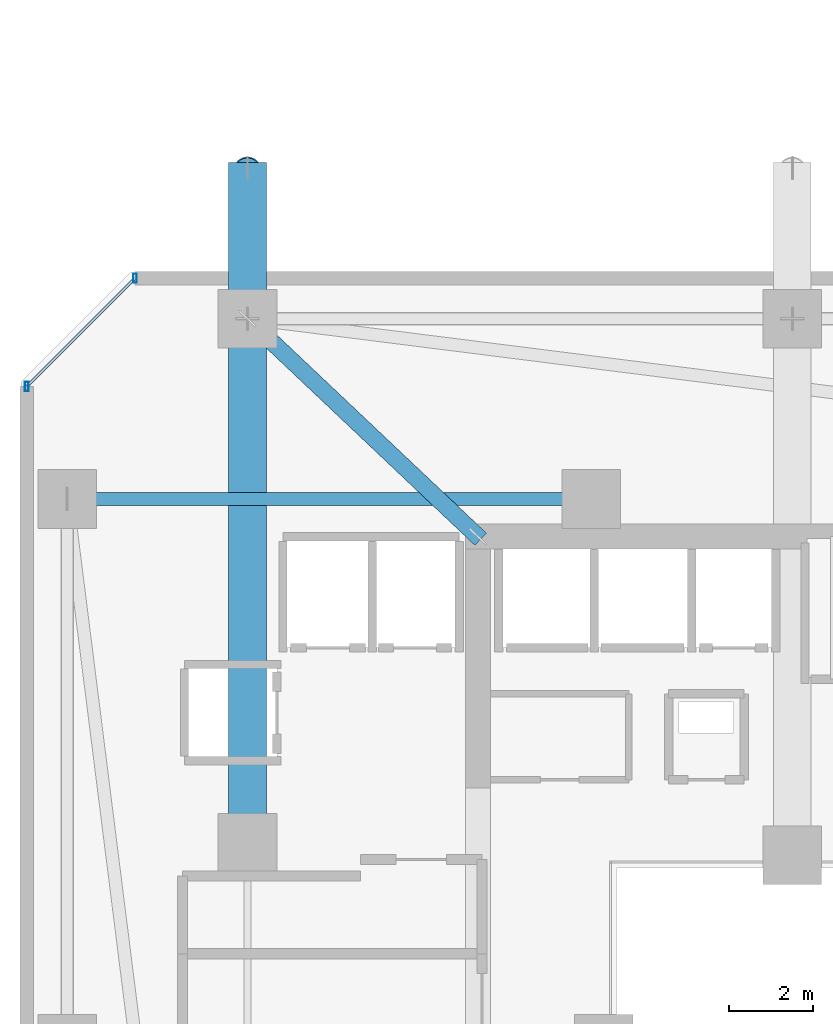
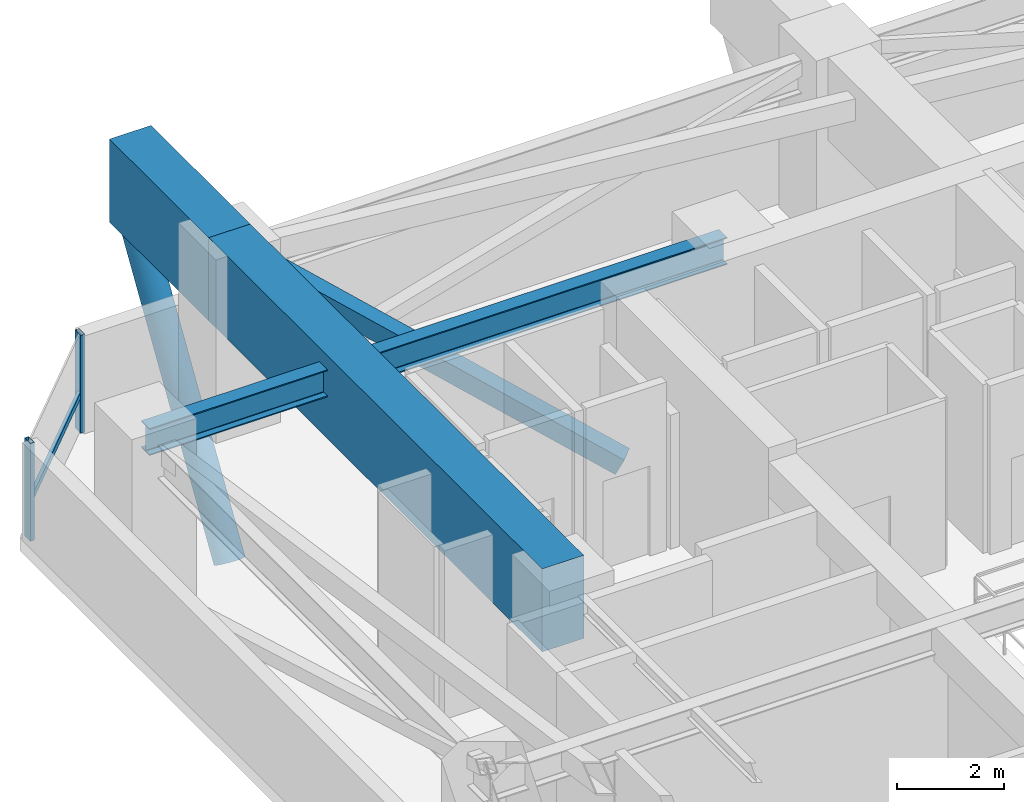
# One storey, part 13 of 38: 5 members, 3 beams, 1 element without a shape of its own.
"""IFC4 building model written with IfcOpenShell, lengths in metres."""

import ifcopenshell
import ifcopenshell.guid

model = None  # the IFC model being written
_history = None  # IfcOwnerHistory: only IFC2X3 demands one
_inside = {}  # id of a spatial element -> (the spatial element, [elements in it])
_under = {}  # id of a project, library or spatial element -> (it, [spatial elements below it])
_declared = {}  # id of a project -> (the project, [libraries it declares])
_typed = {}  # id of a type object -> (the type object, [elements of that type])
_made_of = {}  # id of a material, layer set ... -> (it, [elements and type objects made of it])


def new_model(schema):
    """Start an empty IFC model of exactly this schema.

    Asked for "IFC4X3", IfcOpenShell would pick the latest addendum, in which some entities
    have other attributes; the version numbers below select the first issue.
    IFC2X3 requires an IfcOwnerHistory on every rooted entity: one is made here for all.
    """
    global model, _history
    if schema == "IFC4X3":
        model = ifcopenshell.file(schema_version=(4, 3, 0, 0))
    else:
        model = ifcopenshell.file(schema=schema)
    _inside.clear()
    _under.clear()
    _declared.clear()
    _typed.clear()
    _made_of.clear()
    _history = None
    if model.schema == "IFC2X3":
        org = make("IfcOrganization", Name="unknown")
        user = make(
            "IfcPersonAndOrganization",
            ThePerson=make("IfcPerson", FamilyName="unknown"),
            TheOrganization=org,
        )
        app = make(
            "IfcApplication",
            ApplicationDeveloper=org,
            Version="unknown",
            ApplicationFullName="unknown",
            ApplicationIdentifier="unknown",
        )
        _history = make(
            "IfcOwnerHistory",
            OwningUser=user,
            OwningApplication=app,
            ChangeAction="ADDED",
            CreationDate=0,
        )
    return model


def make(cls, **values):
    """One entity of the class cls with the attributes given. An attribute that is None is left unset."""
    return model.create_entity(
        cls, **{name: value for name, value in values.items() if value is not None}
    )


def rooted(cls, **values):
    """An entity with a GlobalId (a new one), such as an element, a storey or a relation."""
    return make(cls, GlobalId=ifcopenshell.guid.new(), OwnerHistory=_history, **values)


def si_unit(unit_type, name, prefix=None):
    """IfcSIUnit, for example si_unit("LENGTHUNIT", "METRE", prefix="MILLI")."""
    return make("IfcSIUnit", UnitType=unit_type, Prefix=prefix, Name=name)


def assignment(units):
    """IfcUnitAssignment: the units of a project."""
    return None if units is None else make("IfcUnitAssignment", Units=units)


def point(xyz):
    """IfcCartesianPoint."""
    return None if xyz is None else make("IfcCartesianPoint", Coordinates=xyz)


def direction(xyz):
    """IfcDirection."""
    return None if xyz is None else make("IfcDirection", DirectionRatios=xyz)


def frame(location, z_axis=None, x_axis=None):
    """IfcAxis2Placement3D, a coordinate frame: its origin and axes. An axis left out is left unset."""
    return make(
        "IfcAxis2Placement3D",
        Location=point(location),
        Axis=direction(z_axis),
        RefDirection=direction(x_axis),
    )


def frame_2d(location, x_axis=None):
    """IfcAxis2Placement2D, a coordinate frame in the plane: its origin and x axis."""
    return make(
        "IfcAxis2Placement2D", Location=point(location), RefDirection=direction(x_axis)
    )


def origin():
    """The frame at (0, 0, 0) with its axes left unset."""
    return frame((0.0, 0.0, 0.0))


def origin_2d():
    """The frame at (0, 0) in the plane with its x axis left unset."""
    return frame_2d((0.0, 0.0))


def place(relative_to, where):
    """IfcLocalPlacement: puts the frame where relative to a parent placement (None: the world)."""
    return make(
        "IfcLocalPlacement", PlacementRelTo=relative_to, RelativePlacement=where
    )


def context(
    kind, dimensions, precision=None, world=None, true_north=None, identifier=None
):
    """IfcGeometricRepresentationContext, for example the 3D "Model" context."""
    return make(
        "IfcGeometricRepresentationContext",
        ContextIdentifier=identifier,
        ContextType=kind,
        CoordinateSpaceDimension=dimensions,
        Precision=precision,
        WorldCoordinateSystem=world,
        TrueNorth=true_north,
    )


def subcontext(parent, identifier, kind, view, scale=None):
    """IfcGeometricRepresentationSubContext, for example "Body" below "Model"."""
    return make(
        "IfcGeometricRepresentationSubContext",
        ContextIdentifier=identifier,
        ContextType=kind,
        ParentContext=parent,
        TargetScale=scale,
        TargetView=view,
    )


def project(units=None, contexts=None):
    """IfcProject with its units and contexts."""
    return rooted(
        "IfcProject",
        Name="project",
        RepresentationContexts=contexts,
        UnitsInContext=assignment(units),
    )


def spatial(cls, under=None, at=None, **own):
    """A site, building, storey or space (cls), placed at a placement, below another one or the project."""
    s = rooted(cls, ObjectPlacement=at, **own)
    if under is not None:
        _under.setdefault(under.id(), (under, []))[1].append(s)
    return s


def profile(cls, at=None, kind="AREA", **sizes):
    """A parametric profile (cls). Its sizes go by their IFC names, for example OverallWidth=200.0."""
    return make(cls, ProfileType=kind, Position=at, **sizes)


def rectangle(**sizes):
    """IfcRectangleProfileDef."""
    return profile("IfcRectangleProfileDef", **sizes)


def hollow_rectangle(**sizes):
    """IfcRectangleHollowProfileDef."""
    return profile("IfcRectangleHollowProfileDef", **sizes)


def hollow_circle(**sizes):
    """IfcCircleHollowProfileDef."""
    return profile("IfcCircleHollowProfileDef", **sizes)


def i_section(**sizes):
    """IfcIShapeProfileDef."""
    return profile("IfcIShapeProfileDef", **sizes)


def extrude(swept, where, along, depth):
    """IfcExtrudedAreaSolid: the profile swept, set in the frame where, extruded along a direction by depth."""
    return make(
        "IfcExtrudedAreaSolid",
        SweptArea=swept,
        Position=where,
        ExtrudedDirection=direction(along),
        Depth=depth,
    )


def shape(context_of_items, identifier, shape_type, items):
    """IfcShapeRepresentation: the items that make up one representation, for example the "Body"."""
    return make(
        "IfcShapeRepresentation",
        ContextOfItems=context_of_items,
        RepresentationIdentifier=identifier,
        RepresentationType=shape_type,
        Items=items,
    )


def material(Name=None, Category=None):
    """IfcMaterial."""
    return make("IfcMaterial", Name=Name, Category=Category)


def material_profile(
    of_material, cross_section, Name=None, Category=None, Priority=None
):
    """IfcMaterialProfile: a cross section and its material."""
    return make(
        "IfcMaterialProfile",
        Name=Name,
        Material=of_material,
        Profile=cross_section,
        Priority=Priority,
        Category=Category,
    )


def profile_set(profiles, Name=None, composite=None):
    """IfcMaterialProfileSet."""
    return make(
        "IfcMaterialProfileSet",
        Name=Name,
        MaterialProfiles=profiles,
        CompositeProfile=composite,
    )


def made_of(thing, what):
    """Note that an element or type object is made of a material, layer set ...; save() writes the relation."""
    if what is not None:
        _made_of.setdefault(what.id(), (what, []))[1].append(thing)
    return thing


def type_object(cls, material=None, **own):
    """A type object (cls), such as IfcWallType, which elements share."""
    return made_of(rooted(cls, **own), material)


def element(
    cls,
    number,
    at=None,
    inside=None,
    cuts=None,
    type_object=None,
    material=None,
    context=None,
    identifier="Body",
    shape_type=None,
    held_by="IfcProductDefinitionShape",
    body=None,
    shapes=None,
    **own,
):
    """One element of the class cls, such as IfcWall. Its Tag is "e" and its number.

    at: its placement. inside: the storey or other place that contains it. cuts: it is an
    opening in that element (IfcRelVoidsElement). A single representation is given by context,
    identifier, shape_type and body (its items); several are given by shapes. held_by: the class
    of the entity that holds the representations. save() writes the other relations.
    """
    e = rooted(cls, Tag="e%d" % number, ObjectPlacement=at, **own)
    if body is not None:
        shapes = [shape(context, identifier, shape_type, body)]
    if shapes is not None:
        e.Representation = make(held_by, Representations=shapes)
    if inside is not None:
        _inside.setdefault(inside.id(), (inside, []))[1].append(e)
    if cuts is not None:
        rooted(
            "IfcRelVoidsElement", RelatingBuildingElement=cuts, RelatedOpeningElement=e
        )
    if type_object is not None:
        _typed.setdefault(type_object.id(), (type_object, []))[1].append(e)
    return made_of(e, material)


def aggregate(whole, parts):
    """IfcRelAggregates: a whole, such as a stair, and the parts it consists of."""
    return rooted("IfcRelAggregates", RelatingObject=whole, RelatedObjects=parts)


def save(model, path):
    """Write the relations noted so far, then the file.

    IfcRelAggregates (storeys below a building ...), IfcRelContainedInSpatialStructure (elements
    in a storey), IfcRelDefinesByType, IfcRelAssociatesMaterial and IfcRelDeclares: one each for
    every whole, place, type object, material and project.
    """
    for whole, parts in _under.values():
        aggregate(whole, parts)
    for where, things in _inside.values():
        rooted(
            "IfcRelContainedInSpatialStructure",
            RelatedElements=things,
            RelatingStructure=where,
        )
    for kind, things in _typed.values():
        rooted("IfcRelDefinesByType", RelatedObjects=things, RelatingType=kind)
    for what, things in _made_of.values():
        rooted("IfcRelAssociatesMaterial", RelatedObjects=things, RelatingMaterial=what)
    for by, libraries in _declared.values():
        rooted("IfcRelDeclares", RelatingContext=by, RelatedDefinitions=libraries)
    model.write(path)


model = new_model("IFC4")

# Units and contexts
model_context = context("Model", 3, precision=1e-05, world=origin(), true_north=direction((0.0, 1.0)))
body_context = subcontext(model_context, "Body", "Model", "MODEL_VIEW")
ifc_project = project(units=[si_unit("LENGTHUNIT", "METRE"), si_unit("AREAUNIT", "SQUARE_METRE"), si_unit("VOLUMEUNIT", "CUBIC_METRE"), si_unit("PLANEANGLEUNIT", "RADIAN"), si_unit("MASSUNIT", "GRAM", prefix="KILO")], contexts=[model_context])

# Site, building, storey
site_placement = place(None, origin())
site = spatial("IfcSite", under=ifc_project, at=site_placement, CompositionType="ELEMENT")
building_placement = place(site_placement, origin())
building = spatial("IfcBuilding", under=site, at=building_placement, Name="Thornwick Lancets Civic Towers", CompositionType="ELEMENT")
storey_placement = place(building_placement, frame((0.0, 0.0, 71.699951171875)))
storey = spatial("IfcBuildingStorey", under=building, at=storey_placement, Name="L18", CompositionType="ELEMENT", Elevation=71.699951171875)

# Beams
ifc_material_1 = material(Name="Steel S355JR", Category="steel")
ifc_material_profile_1 = material_profile(ifc_material_1, i_section(OverallWidth=0.30712890625, OverallDepth=0.6201171875, WebThickness=0.01416015625, FlangeThickness=0.023681640625, FilletRadius=0.0166015625, at=origin_2d()), Name="UKB 610x305x179")
ifc_profile_set_1 = profile_set([ifc_material_profile_1], Name="Steel S355JR")
beam_type_1 = type_object("IfcBeamType", Name="BM_GIRD_610_179", PredefinedType="BEAM", material=ifc_profile_set_1)
beam_1_placement = place(storey_placement, frame((20.699951171875, 40.0, 3.570068359375), z_axis=(-1.0, 0.0, 0.0), x_axis=(0.0, -1.0, 0.0)))
element("IfcBeam", 1, at=beam_1_placement, inside=storey, type_object=beam_type_1, Name="BM-RADIN-L18-A12", PredefinedType="BEAM", context=body_context, shape_type="SweptSolid", body=[
    extrude(i_section(OverallWidth=0.30712890625, OverallDepth=0.6201171875, WebThickness=0.01416015625, FlangeThickness=0.023681640625, FilletRadius=0.0166015625, at=origin_2d()), origin(), (0.0, 0.0, 1.0), 12.5),
])
ifc_material_2 = material(Name="Concrete C60/75", Category="concrete")
ifc_material_profile_2 = material_profile(ifc_material_2, rectangle(XDim=0.89990234375, YDim=1.89990234375, at=origin_2d()), Name="RC 900x1900")
ifc_profile_set_2 = profile_set([ifc_material_profile_2], Name="Concrete C60/75")
beam_type_2 = type_object("IfcBeamType", Name="BM_TR_RC1900", PredefinedType="BEAM", material=ifc_profile_set_2)
beam_2_placement = place(storey_placement, frame((12.5, 31.800048828125, 3.25), z_axis=(0.0, 1.0, 0.0), x_axis=(-1.0, 0.0, 0.0)))
element("IfcBeam", 2, at=beam_2_placement, inside=storey, type_object=beam_type_2, Name="TG-BACK-L19-A07", PredefinedType="BEAM", context=body_context, shape_type="SweptSolid", body=[
    extrude(rectangle(XDim=0.89990234375, YDim=1.89990234375, at=origin_2d()), origin(), (0.0, 0.0, 1.0), 12.5),
])
beam_3_placement = place(storey_placement, frame((12.5, 44.300048828125, 3.25), z_axis=(0.0, 1.0, 0.0), x_axis=(-1.0, 0.0, 0.0)))
element("IfcBeam", 3, at=beam_3_placement, inside=storey, type_object=beam_type_2, Name="TG-CANT-L19-A07", PredefinedType="BEAM", context=body_context, shape_type="SweptSolid", body=[
    extrude(rectangle(XDim=0.89990234375, YDim=1.89990234375, at=origin_2d()), origin(), (0.0, 0.0, 1.0), 3.719970703125),
])

# Curtain wall, members
ifc_material_3 = material(Name="Low-zone chamfered-corner unitised glass curtain wall", Category="glass")
curtain_wall_type = type_object("IfcCurtainWallType", Name="CW_SYS_03", PredefinedType="NOTDEFINED", material=ifc_material_3)
curtain_wall_placement = place(storey_placement, origin())
curtain_wall = element("IfcCurtainWall", 4, at=curtain_wall_placement, inside=storey, type_object=curtain_wall_type, Name="L18 Curtain Wall CW-L18-A-E5", PredefinedType="NOTDEFINED")
ifc_material_4 = material(Name="Thermally broken bronze aluminium S355", Category="steel")
ifc_material_profile_3 = material_profile(ifc_material_4, hollow_rectangle(XDim=0.090087890625, YDim=0.219970703125, WallThickness=0.00634765625, at=origin_2d()), Name="RHS 220x90x6.3")
ifc_profile_set_3 = profile_set([ifc_material_profile_3], Name="Thermally broken bronze aluminium S355")
member_type_1 = type_object("IfcMemberType", Name="CW_MUL_220", PredefinedType="MULLION", material=ifc_profile_set_3)
member_1_placement = place(storey_placement, frame((9.81884765625, 45.264892578125, 0.0), z_axis=(0.0, 0.0, 1.0), x_axis=(1.0, 0.0, 0.0)))
member_1 = element("IfcMember", 5, at=member_1_placement, type_object=member_type_1, Name="CW-L18-A-E5 Mullion 0", PredefinedType="MULLION", context=body_context, shape_type="SweptSolid", body=[
    extrude(hollow_rectangle(XDim=0.090087890625, YDim=0.219970703125, WallThickness=0.00634765625, at=origin_2d()), origin(), (0.0, 0.0, 1.0), 2.239990234375),
])
member_2_placement = place(storey_placement, frame((7.235107421875, 42.68115234375, 0.0), z_axis=(0.0, 0.0, 1.0), x_axis=(1.0, 0.0, 0.0)))
member_2 = element("IfcMember", 6, at=member_2_placement, type_object=member_type_1, Name="CW-L18-A-E5 Mullion 1", PredefinedType="MULLION", context=body_context, shape_type="SweptSolid", body=[
    extrude(hollow_rectangle(XDim=0.090087890625, YDim=0.219970703125, WallThickness=0.00634765625, at=origin_2d()), origin(), (0.0, 0.0, 1.0), 2.239990234375),
])
ifc_material_profile_4 = material_profile(ifc_material_4, hollow_rectangle(XDim=0.074951171875, YDim=0.14990234375, WallThickness=0.0048828125, at=origin_2d()), Name="RHS 150x75x5")
ifc_profile_set_4 = profile_set([ifc_material_profile_4], Name="Thermally broken bronze aluminium S355")
member_type_2 = type_object("IfcMemberType", Name="CW_TRN_150", PredefinedType="USERDEFINED", material=ifc_profile_set_4)
member_3_placement = place(storey_placement, frame((9.8046875, 45.250732421875, 0.85009765625), z_axis=(-0.707106781187, -0.707106781187, 0.0), x_axis=(0.707106781187, -0.707106781187, 0.0)))
member_3 = element("IfcMember", 7, at=member_3_placement, type_object=member_type_2, Name="CW-L18-A-E5 Transom 0", ObjectType="TRANSOM", PredefinedType="USERDEFINED", context=body_context, shape_type="SweptSolid", body=[
    extrude(hollow_rectangle(XDim=0.074951171875, YDim=0.14990234375, WallThickness=0.0048828125, at=origin_2d()), origin(), (0.0, 0.0, 1.0), 3.614013671875),
])
aggregate(curtain_wall, [member_1, member_2, member_3])

# Members
ifc_material_5 = material(Name="Steel S460M", Category="steel")
ifc_material_profile_5 = material_profile(ifc_material_5, hollow_rectangle(XDim=0.39990234375, YDim=0.39990234375, WallThickness=0.02001953125, at=origin_2d()), Name="SHS 400x400x20")
ifc_profile_set_5 = profile_set([ifc_material_profile_5], Name="Steel S460M")
member_type_3 = type_object("IfcMemberType", Name="MEM_OUTRIG_SHS400", PredefinedType="BRACE", material=ifc_profile_set_5)
member_4_placement = place(storey_placement, frame((18.0, 39.10009765625, 0.150146484375), z_axis=(-0.651802229136, 0.616243593678, 0.442038106212), x_axis=(-0.687007976126, -0.726649874932, 0.0)))
element("IfcMember", 8, at=member_4_placement, inside=storey, type_object=member_type_3, Name="L18 Outrigger Brace A-4", PredefinedType="BRACE", context=body_context, shape_type="SweptSolid", body=[
    extrude(hollow_rectangle(XDim=0.39990234375, YDim=0.39990234375, WallThickness=0.02001953125, at=origin_2d()), origin(), (0.0, 0.0, 1.0), 8.438232421875),
])
ifc_material_profile_6 = material_profile(ifc_material_5, hollow_circle(Radius=0.304931640625, WallThickness=0.030029296875, at=origin_2d()), Name="CHS 610x30")
ifc_profile_set_6 = profile_set([ifc_material_profile_6], Name="Steel S460M")
member_type_4 = type_object("IfcMemberType", Name="MEM_STRUT_CHS610", PredefinedType="STRUT", material=ifc_profile_set_6)
member_5_placement = place(storey_placement, frame((12.5, 44.300048828125, -3.349853515625), z_axis=(0.0, 0.531975728187, 0.846759602614), x_axis=(-1.0, 0.0, 0.0)))
element("IfcMember", 9, at=member_5_placement, inside=storey, type_object=member_type_4, Name="L19 Jenga Transfer Raking Strut A07", PredefinedType="STRUT", context=body_context, shape_type="SweptSolid", body=[
    extrude(hollow_circle(Radius=0.304931640625, WallThickness=0.030029296875, at=origin_2d()), origin(), (0.0, 0.0, 1.0), 6.766845703125),
])

save(model, "model.ifc")
